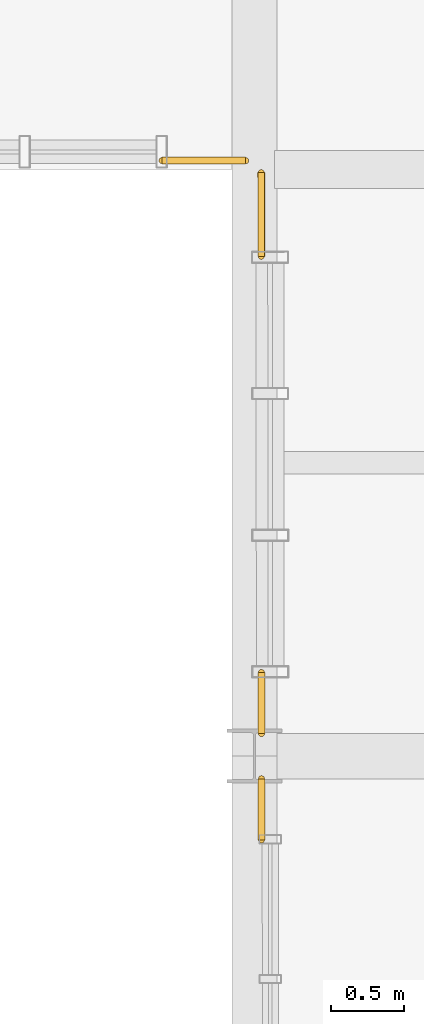
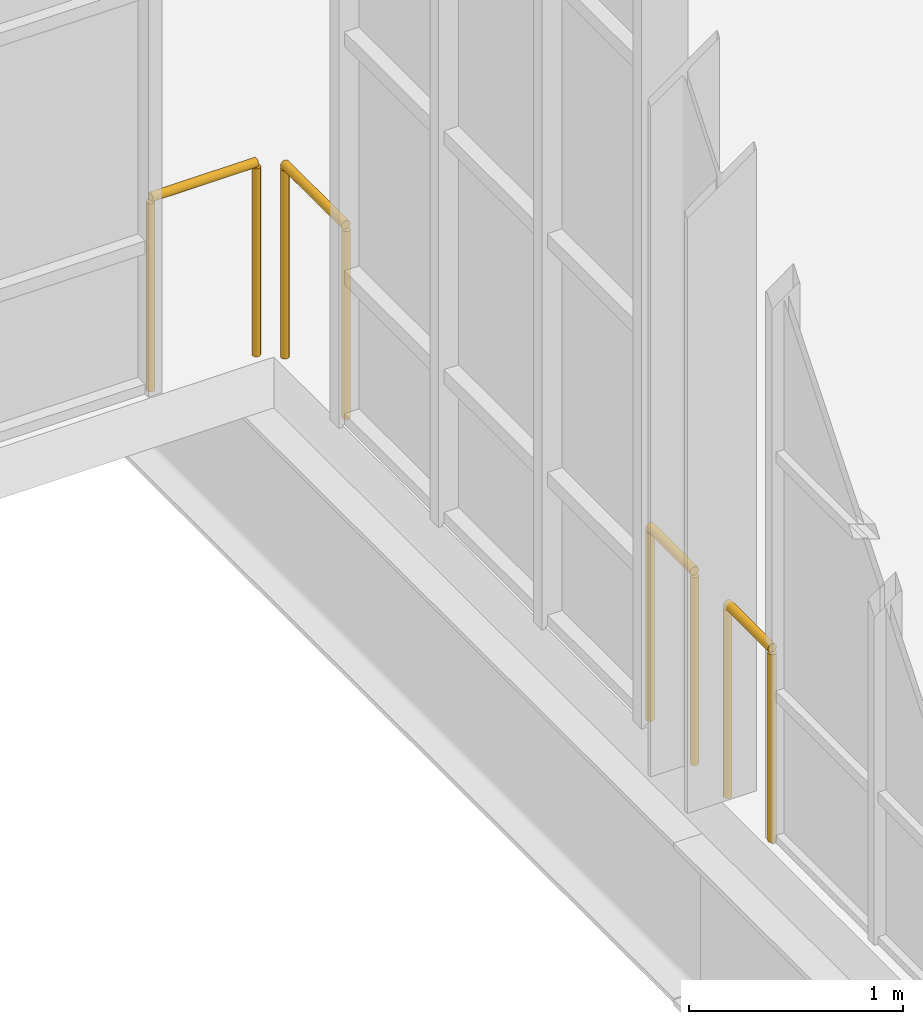
# One storey, part 186 of 189: 4 railings.
"""IFC4 building model written with IfcOpenShell, lengths in metres."""

from ifc_helpers import new_model, si_unit, direction, frame, origin, origin_2d, place, context, subcontext, project, spatial, circle, extrude, material, type_object, element, save


model = new_model("IFC4")

# Units and contexts
model_context = context("Model", 3, precision=1e-05, world=origin(), true_north=direction((0.0, 1.0)))
body_context = subcontext(model_context, "Body", "Model", "MODEL_VIEW")
ifc_project = project(units=[si_unit("LENGTHUNIT", "METRE"), si_unit("AREAUNIT", "SQUARE_METRE"), si_unit("VOLUMEUNIT", "CUBIC_METRE"), si_unit("PLANEANGLEUNIT", "RADIAN"), si_unit("MASSUNIT", "GRAM", prefix="KILO"), si_unit("THERMODYNAMICTEMPERATUREUNIT", "KELVIN"), si_unit("POWERUNIT", "WATT")], contexts=[model_context])

# Site, building, storey
site_placement = place(None, origin())
site = spatial("IfcSite", under=ifc_project, at=site_placement, CompositionType="ELEMENT")
building_placement = place(site_placement, origin())
building = spatial("IfcBuilding", under=site, at=building_placement, Name="Zelmaris Science Centre", CompositionType="ELEMENT")
storey_placement = place(building_placement, origin())
storey = spatial("IfcBuildingStorey", under=building, at=storey_placement, Name="L00", CompositionType="ELEMENT", Elevation=0.0)

# Railings
ifc_material = material(Name="Architectural bronze alloy C28000")
railing_type = type_object("IfcRailingType", Name="Balustrade GD-01 H1120", PredefinedType="BALUSTRADE", material=ifc_material)
railing_1_placement = place(storey_placement, frame((117.048095703125, 39.429931640625, 0.0)))
element("IfcRailing", 1, at=railing_1_placement, inside=storey, type_object=railing_type, Name="L00 Perimeter safety balustrade 29", PredefinedType="BALUSTRADE", context=body_context, shape_type="SweptSolid", body=[
    extrude(circle(Radius=0.02392578125, at=origin_2d()), frame((0.0, 0.0, 1.09619140625), z_axis=(-0.000586854359, 0.999999827801, 0.0), x_axis=(-0.999999827801, -0.000586854359, 0.0)), (0.0, 0.0, 1.0), 0.416015625),
    extrude(circle(Radius=0.02099609375, at=origin_2d()), origin(), (0.0, 0.0, 1.0), 1.072021484375),
    extrude(circle(Radius=0.02099609375, at=origin_2d()), frame((-0.000244140625, 0.416015625, 0.0)), (0.0, 0.0, 1.0), 1.072021484375),
])
railing_2_placement = place(storey_placement, frame((117.047607421875, 40.154052734375, 0.0)))
element("IfcRailing", 2, at=railing_2_placement, inside=storey, type_object=railing_type, Name="L00 Perimeter safety balustrade 30", PredefinedType="BALUSTRADE", context=body_context, shape_type="SweptSolid", body=[
    extrude(circle(Radius=0.02392578125, at=origin_2d()), frame((0.0, 0.0, 1.09619140625), z_axis=(0.0, 1.0, 0.0), x_axis=(-1.0, 0.0, 0.0)), (0.0, 0.0, 1.0), 0.416015625),
    extrude(circle(Radius=0.02099609375, at=origin_2d()), origin(), (0.0, 0.0, 1.0), 1.072021484375),
    extrude(circle(Radius=0.02099609375, at=origin_2d()), frame((0.0, 0.416015625, 0.0)), (0.0, 0.0, 1.0), 1.072021484375),
])
railing_3_placement = place(storey_placement, frame((117.046630859375, 43.408203125, 0.0)))
element("IfcRailing", 3, at=railing_3_placement, inside=storey, type_object=railing_type, Name="L00 Perimeter safety balustrade 31", PredefinedType="BALUSTRADE", context=body_context, shape_type="SweptSolid", body=[
    extrude(circle(Radius=0.02392578125, at=origin_2d()), frame((0.0, 0.0, 1.09619140625), z_axis=(-0.000428448975, 0.999999908216, 0.0), x_axis=(-0.999999908216, -0.000428448975, 0.0)), (0.0, 0.0, 1.0), 0.56982421875),
    extrude(circle(Radius=0.02099609375, at=origin_2d()), origin(), (0.0, 0.0, 1.0), 1.072021484375),
    extrude(circle(Radius=0.02099609375, at=origin_2d()), frame((-0.000244140625, 0.56982421875, 0.0)), (0.0, 0.0, 1.0), 1.072021484375),
])
railing_4_placement = place(storey_placement, frame((116.93994140625, 44.06005859375, 0.0)))
element("IfcRailing", 4, at=railing_4_placement, inside=storey, type_object=railing_type, Name="L00 Perimeter safety balustrade 32", PredefinedType="BALUSTRADE", context=body_context, shape_type="SweptSolid", body=[
    extrude(circle(Radius=0.02392578125, at=origin_2d()), frame((0.0, 0.0, 1.09619140625), z_axis=(-1.0, 0.0, 0.0), x_axis=(0.0, -1.0, 0.0)), (0.0, 0.0, 1.0), 0.56982421875),
    extrude(circle(Radius=0.02099609375, at=origin_2d()), origin(), (0.0, 0.0, 1.0), 1.072021484375),
    extrude(circle(Radius=0.02099609375, at=origin_2d()), frame((-0.56982421875, 0.0, 0.0)), (0.0, 0.0, 1.0), 1.072021484375),
])

save(model, "model.ifc")
